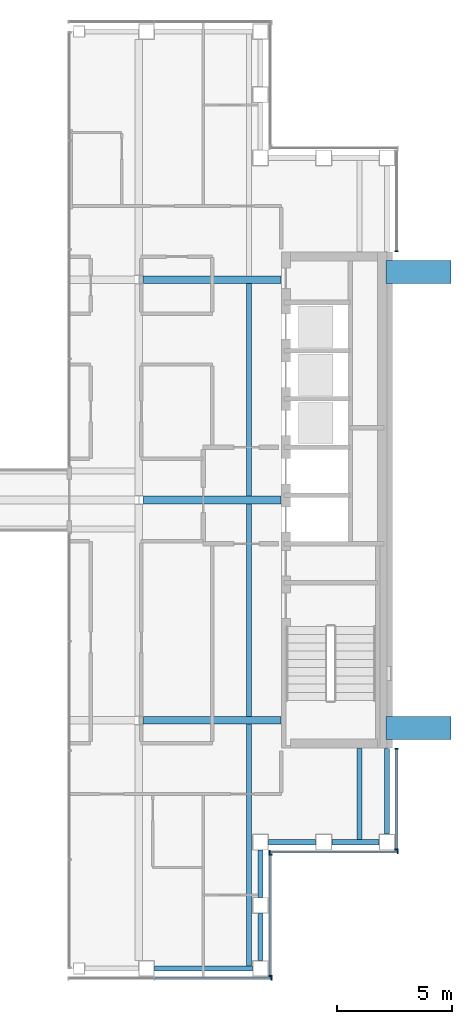
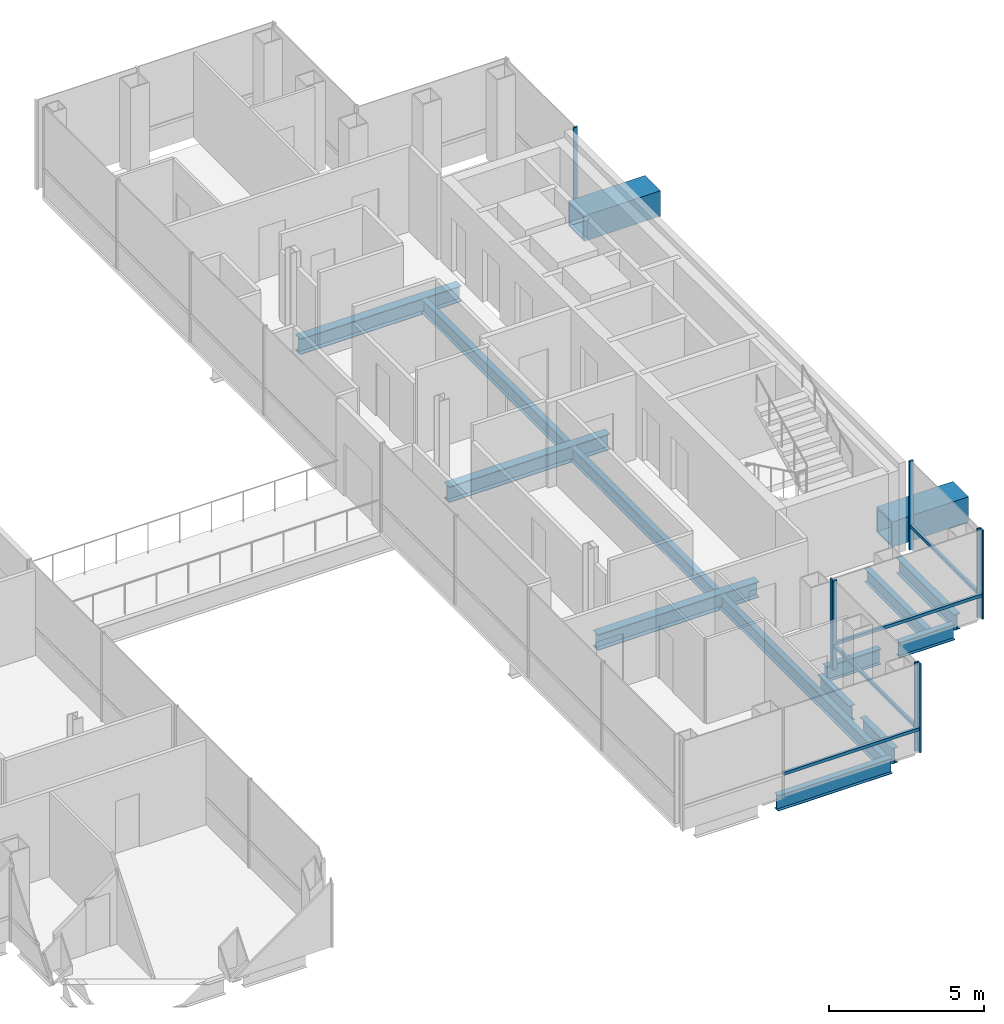
# One storey, part 7 of 16: 15 beams, 12 members, 5 elements without a shape of their own.
"""IFC4 building model written with IfcOpenShell, lengths in metres."""

from ifc_helpers import new_model, si_unit, direction, frame, origin, origin_2d, place, context, subcontext, project, spatial, rectangle, hollow_rectangle, i_section, extrude, material, material_profile, profile_set, type_object, element, aggregate, save


model = new_model("IFC4")

# Units and contexts
model_context = context("Model", 3, precision=1e-05, world=origin(), true_north=direction((0.0, 1.0)))
body_context = subcontext(model_context, "Body", "Model", "MODEL_VIEW")
ifc_project = project(units=[si_unit("LENGTHUNIT", "METRE"), si_unit("AREAUNIT", "SQUARE_METRE"), si_unit("VOLUMEUNIT", "CUBIC_METRE"), si_unit("PLANEANGLEUNIT", "RADIAN"), si_unit("MASSUNIT", "GRAM", prefix="KILO")], contexts=[model_context])

# Site, building, storey
site_placement = place(None, origin())
site = spatial("IfcSite", under=ifc_project, at=site_placement, CompositionType="ELEMENT")
building_placement = place(site_placement, origin())
building = spatial("IfcBuilding", under=site, at=building_placement, Name="Cobrizo Arcos Hotel Tower", CompositionType="ELEMENT")
storey_placement = place(building_placement, frame((0.0, 0.0, 229.5)))
storey = spatial("IfcBuildingStorey", under=building, at=storey_placement, Name="L60", CompositionType="ELEMENT", Elevation=229.5)

# Beams
ifc_material_1 = material(Name="Steel ASTM A572 Grade 50", Category="steel")
ifc_material_profile_1 = material_profile(ifc_material_1, hollow_rectangle(XDim=1.0, YDim=1.0, WallThickness=0.06005859375, at=origin_2d()), Name="BOX 1000X1000X60")
ifc_profile_set_1 = profile_set([ifc_material_profile_1], Name="Steel ASTM A572 Grade 50")
beam_type_1 = type_object("IfcBeamType", Name="BOX 1000X1000X60 brace connector strut", PredefinedType="BEAM", material=ifc_profile_set_1)
for number, where, z_axis, x_axis, name in (
    (1, (20.35009765625, 9.933349609375, 0.5), (1.0, 0.0, 0.0), (0.0, 1.0, 0.0), "Perimeter brace stub BS1, zone Z4, east face, offset +9.93 m, L60"),
    (2, (20.35009765625, -9.933349609375, 0.5), (1.0, 0.0, 0.0), (0.0, 1.0, 0.0), "Perimeter brace stub BS1, zone Z4, east face, offset -9.93 m, L60"),
):
    element("IfcBeam", number, at=place(storey_placement, frame(where, z_axis=z_axis, x_axis=x_axis)), inside=storey, type_object=beam_type_1, Name=name, PredefinedType="BEAM", context=body_context, shape_type="SweptSolid", body=[
        extrude(hollow_rectangle(XDim=1.0, YDim=1.0, WallThickness=0.06005859375, at=origin_2d()), origin(), (0.0, 0.0, 1.0), 2.844970703125),
    ])

# Curtain wall, member
ifc_material_2 = material(Name="Aluminium 6063-T6 anodised bronze", Category="aluminium")
curtain_wall_type = type_object("IfcCurtainWallType", Name="CW-A guest facade", PredefinedType="NOTDEFINED", material=ifc_material_2)
curtain_wall_1_placement = place(storey_placement, origin())
curtain_wall_1 = element("IfcCurtainWall", 3, at=curtain_wall_1_placement, inside=storey, type_object=curtain_wall_type, Name="CW-A L60 S face", PredefinedType="NOTDEFINED")
ifc_material_profile_2 = material_profile(ifc_material_2, rectangle(XDim=0.14990234375, YDim=0.06005859375, at=origin_2d()), Name="CW-A mullion 150x60")
ifc_profile_set_2 = profile_set([ifc_material_profile_2], Name="Aluminium 6063-T6 anodised bronze")
member_type_1 = type_object("IfcMemberType", Name="CW-A mullion 150x60", PredefinedType="MULLION", material=ifc_profile_set_2)
member_1_placement = place(storey_placement, frame((15.3701171875, -20.824951171875, 0.0), z_axis=(0.0, 0.0, 1.0), x_axis=(0.0, -1.0, 0.0)))
member_1 = element("IfcMember", 4, at=member_1_placement, type_object=member_type_1, Name="CW-A mullion 3", PredefinedType="MULLION", context=body_context, shape_type="SweptSolid", body=[
    extrude(rectangle(XDim=0.14990234375, YDim=0.06005859375, at=origin_2d()), origin(), (0.0, 0.0, 1.0), 3.5),
])

# Curtain wall, members
curtain_wall_2_placement = place(storey_placement, origin())
curtain_wall_2 = element("IfcCurtainWall", 5, at=curtain_wall_2_placement, inside=storey, type_object=curtain_wall_type, Name="CW-A L60 E face", PredefinedType="NOTDEFINED")
member_2_placement = place(storey_placement, frame((15.324951171875, -20.719970703125, 0.0), z_axis=(0.0, 0.0, 1.0), x_axis=(1.0, 0.0, 0.0)))
member_2 = element("IfcMember", 6, at=member_2_placement, type_object=member_type_1, Name="CW-A mullion 1", PredefinedType="MULLION", context=body_context, shape_type="SweptSolid", body=[
    extrude(rectangle(XDim=0.14990234375, YDim=0.06005859375, at=origin_2d()), origin(), (0.0, 0.0, 1.0), 3.5),
])
member_3_placement = place(storey_placement, frame((15.324951171875, -15.429931640625, 0.0), z_axis=(0.0, 0.0, 1.0), x_axis=(1.0, 0.0, 0.0)))
member_3 = element("IfcMember", 7, at=member_3_placement, type_object=member_type_1, Name="CW-A mullion 2", PredefinedType="MULLION", context=body_context, shape_type="SweptSolid", body=[
    extrude(rectangle(XDim=0.14990234375, YDim=0.06005859375, at=origin_2d()), origin(), (0.0, 0.0, 1.0), 3.5),
])

curtain_wall_3_placement = place(storey_placement, origin())
curtain_wall_3 = element("IfcCurtainWall", 8, at=curtain_wall_3_placement, inside=storey, type_object=curtain_wall_type, Name="CW-A L60 S face", PredefinedType="NOTDEFINED")
member_4_placement = place(storey_placement, frame((15.280029296875, -15.324951171875, 0.0), z_axis=(0.0, 0.0, 1.0), x_axis=(0.0, -1.0, 0.0)))
member_4 = element("IfcMember", 9, at=member_4_placement, type_object=member_type_1, Name="CW-A mullion 1", PredefinedType="MULLION", context=body_context, shape_type="SweptSolid", body=[
    extrude(rectangle(XDim=0.14990234375, YDim=0.06005859375, at=origin_2d()), origin(), (0.0, 0.0, 1.0), 3.5),
])
member_5_placement = place(storey_placement, frame((20.8701171875, -15.324951171875, 0.0), z_axis=(0.0, 0.0, 1.0), x_axis=(0.0, -1.0, 0.0)))
member_5 = element("IfcMember", 10, at=member_5_placement, type_object=member_type_1, Name="CW-A mullion 2", PredefinedType="MULLION", context=body_context, shape_type="SweptSolid", body=[
    extrude(rectangle(XDim=0.14990234375, YDim=0.06005859375, at=origin_2d()), origin(), (0.0, 0.0, 1.0), 3.5),
])

curtain_wall_4_placement = place(storey_placement, origin())
curtain_wall_4 = element("IfcCurtainWall", 11, at=curtain_wall_4_placement, inside=storey, type_object=curtain_wall_type, Name="CW-A L60 E face", PredefinedType="NOTDEFINED")
member_6_placement = place(storey_placement, frame((20.824951171875, -15.219970703125, 0.0), z_axis=(0.0, 0.0, 1.0), x_axis=(1.0, 0.0, 0.0)))
member_6 = element("IfcMember", 12, at=member_6_placement, type_object=member_type_1, Name="CW-A mullion 1", PredefinedType="MULLION", context=body_context, shape_type="SweptSolid", body=[
    extrude(rectangle(XDim=0.14990234375, YDim=0.06005859375, at=origin_2d()), origin(), (0.0, 0.0, 1.0), 3.5),
])
member_7_placement = place(storey_placement, frame((20.824951171875, -10.830078125, 0.0), z_axis=(0.0, 0.0, 1.0), x_axis=(1.0, 0.0, 0.0)))
member_7 = element("IfcMember", 13, at=member_7_placement, type_object=member_type_1, Name="CW-A mullion 2", PredefinedType="MULLION", context=body_context, shape_type="SweptSolid", body=[
    extrude(rectangle(XDim=0.14990234375, YDim=0.06005859375, at=origin_2d()), origin(), (0.0, 0.0, 1.0), 3.5),
])

# Curtain wall, member
curtain_wall_5_placement = place(storey_placement, origin())
curtain_wall_5 = element("IfcCurtainWall", 14, at=curtain_wall_5_placement, inside=storey, type_object=curtain_wall_type, Name="CW-A L60 E face", PredefinedType="NOTDEFINED")
member_8_placement = place(storey_placement, frame((20.824951171875, 10.830078125, 0.0), z_axis=(0.0, 0.0, 1.0), x_axis=(1.0, 0.0, 0.0)))
member_8 = element("IfcMember", 15, at=member_8_placement, type_object=member_type_1, Name="CW-A mullion 1", PredefinedType="MULLION", context=body_context, shape_type="SweptSolid", body=[
    extrude(rectangle(XDim=0.14990234375, YDim=0.06005859375, at=origin_2d()), origin(), (0.0, 0.0, 1.0), 3.5),
])
aggregate(curtain_wall_5, [member_8])

# Member
ifc_material_profile_3 = material_profile(ifc_material_2, rectangle(XDim=0.10009765625, YDim=0.1201171875, at=origin_2d()), Name="CW-A transom 120x100")
ifc_profile_set_3 = profile_set([ifc_material_profile_3], Name="Aluminium 6063-T6 anodised bronze")
member_type_2 = type_object("IfcMemberType", Name="CW-A transom 120x100", PredefinedType="USERDEFINED", material=ifc_profile_set_3)
member_9_placement = place(storey_placement, frame((10.296630859375, -20.824951171875, 0.929931640625), z_axis=(1.0, 0.0, 0.0), x_axis=(0.0, 1.0, 0.0)))
member_9 = element("IfcMember", 16, at=member_9_placement, type_object=member_type_2, Name="CW-A transom 1951", ObjectType="TRANSOM", PredefinedType="USERDEFINED", context=body_context, shape_type="SweptSolid", body=[
    extrude(rectangle(XDim=0.10009765625, YDim=0.1201171875, at=origin_2d()), origin(), (0.0, 0.0, 1.0), 5.04345703125),
])

aggregate(curtain_wall_1, [member_1, member_9])

member_10_placement = place(storey_placement, frame((15.324951171875, -20.68994140625, 0.929931640625), z_axis=(0.0, 1.0, 0.0), x_axis=(-1.0, 0.0, 0.0)))
member_10 = element("IfcMember", 17, at=member_10_placement, type_object=member_type_2, Name="CW-A transom 1952", ObjectType="TRANSOM", PredefinedType="USERDEFINED", context=body_context, shape_type="SweptSolid", body=[
    extrude(rectangle(XDim=0.10009765625, YDim=0.1201171875, at=origin_2d()), origin(), (0.0, 0.0, 1.0), 5.22998046875),
])

aggregate(curtain_wall_2, [member_2, member_3, member_10])

member_11_placement = place(storey_placement, frame((15.31005859375, -15.324951171875, 0.929931640625), z_axis=(1.0, 0.0, 0.0), x_axis=(0.0, 1.0, 0.0)))
member_11 = element("IfcMember", 18, at=member_11_placement, type_object=member_type_2, Name="CW-A transom 1953", ObjectType="TRANSOM", PredefinedType="USERDEFINED", context=body_context, shape_type="SweptSolid", body=[
    extrude(rectangle(XDim=0.10009765625, YDim=0.1201171875, at=origin_2d()), origin(), (0.0, 0.0, 1.0), 5.530029296875),
])

aggregate(curtain_wall_3, [member_4, member_5, member_11])

member_12_placement = place(storey_placement, frame((20.824951171875, -15.18994140625, 0.929931640625), z_axis=(0.0, 1.0, 0.0), x_axis=(-1.0, 0.0, 0.0)))
member_12 = element("IfcMember", 19, at=member_12_placement, type_object=member_type_2, Name="CW-A transom 1954", ObjectType="TRANSOM", PredefinedType="USERDEFINED", context=body_context, shape_type="SweptSolid", body=[
    extrude(rectangle(XDim=0.10009765625, YDim=0.1201171875, at=origin_2d()), origin(), (0.0, 0.0, 1.0), 4.329833984375),
])

aggregate(curtain_wall_4, [member_6, member_7, member_12])

# Beams
ifc_material_3 = material(Name="Steel ASTM A992 Grade 50", Category="steel")
ifc_material_profile_4 = material_profile(ifc_material_3, i_section(OverallWidth=0.209228515625, OverallDepth=0.533447265625, WebThickness=0.01025390625, FlangeThickness=0.015625, at=origin_2d()), Name="W21X62")
ifc_profile_set_4 = profile_set([ifc_material_profile_4], Name="Steel ASTM A992 Grade 50")
beam_type_2 = type_object("IfcBeamType", Name="W21X62 joist", PredefinedType="JOIST", material=ifc_profile_set_4)
beam_1_placement = place(storey_placement, frame((14.39990234375, -20.31005859375, -0.416748046875), z_axis=(0.0, 1.0, 0.0), x_axis=(-1.0, 0.0, 0.0)))
element("IfcBeam", 20, at=beam_1_placement, inside=storey, type_object=beam_type_2, Name="Floor joist J1, L60, no. 007", PredefinedType="JOIST", context=body_context, shape_type="SweptSolid", body=[
    extrude(i_section(OverallWidth=0.209228515625, OverallDepth=0.533447265625, WebThickness=0.01025390625, FlangeThickness=0.015625, at=origin_2d()), origin(), (0.0, 0.0, 1.0), 10.546142578125),
])
for number, where, z_axis, x_axis, name in (
    (21, (14.39990234375, -9.43603515625, -0.416748046875), (0.0, 1.0, 0.0), (-1.0, 0.0, 0.0), "Floor joist J1, L60, no. 008"),
    (22, (14.39990234375, 0.163818359375, -0.416748046875), (0.0, 1.0, 0.0), (-1.0, 0.0, 0.0), "Floor joist J1, L60, no. 009"),
):
    element("IfcBeam", number, at=place(storey_placement, frame(where, z_axis=z_axis, x_axis=x_axis)), inside=storey, type_object=beam_type_2, Name=name, PredefinedType="JOIST", context=body_context, shape_type="SweptSolid", body=[
        extrude(i_section(OverallWidth=0.209228515625, OverallDepth=0.533447265625, WebThickness=0.01025390625, FlangeThickness=0.015625, at=origin_2d()), origin(), (0.0, 0.0, 1.0), 9.272216796875),
    ])
beam_2_placement = place(storey_placement, frame((19.199951171875, -14.81005859375, -0.416748046875), z_axis=(0.0, 1.0, 0.0), x_axis=(-1.0, 0.0, 0.0)))
element("IfcBeam", 23, at=beam_2_placement, inside=storey, type_object=beam_type_2, Name="Floor joist J1, L60, no. 011", PredefinedType="JOIST", context=body_context, shape_type="SweptSolid", body=[
    extrude(i_section(OverallWidth=0.209228515625, OverallDepth=0.533447265625, WebThickness=0.01025390625, FlangeThickness=0.015625, at=origin_2d()), origin(), (0.0, 0.0, 1.0), 4.0),
])
ifc_material_profile_5 = material_profile(ifc_material_3, i_section(OverallWidth=0.32763671875, OverallDepth=0.622314453125, WebThickness=0.015380859375, FlangeThickness=0.0244140625, at=origin_2d()), Name="W24X131")
ifc_profile_set_5 = profile_set([ifc_material_profile_5], Name="Steel ASTM A992 Grade 50")
beam_type_3 = type_object("IfcBeamType", Name="W24X131 girder", PredefinedType="BEAM", material=ifc_profile_set_5)
for number, where, z_axis, x_axis, name in (
    (24, (9.78662109375, -9.60009765625, -0.461181640625), (1.0, 0.0, 0.0), (0.0, 1.0, 0.0), "Floor girder G1, L60, no. 004"),
    (25, (9.78662109375, 0.0, -0.461181640625), (1.0, 0.0, 0.0), (0.0, 1.0, 0.0), "Floor girder G1, L60, no. 007"),
    (26, (9.78662109375, 9.60009765625, -0.461181640625), (1.0, 0.0, 0.0), (0.0, 1.0, 0.0), "Floor girder G1, L60, no. 011"),
):
    element("IfcBeam", number, at=place(storey_placement, frame(where, z_axis=z_axis, x_axis=x_axis)), inside=storey, type_object=beam_type_3, Name=name, PredefinedType="BEAM", context=body_context, shape_type="SweptSolid", body=[
        extrude(i_section(OverallWidth=0.32763671875, OverallDepth=0.622314453125, WebThickness=0.015380859375, FlangeThickness=0.0244140625, at=origin_2d()), origin(), (0.0, 0.0, 1.0), 6.00341796875),
    ])
ifc_material_profile_6 = material_profile(ifc_material_3, i_section(OverallWidth=0.228271484375, OverallDepth=0.607177734375, WebThickness=0.01123046875, FlangeThickness=0.017333984375, at=origin_2d()), Name="W24X76")
ifc_profile_set_6 = profile_set([ifc_material_profile_6], Name="Steel ASTM A992 Grade 50")
beam_type_4 = type_object("IfcBeamType", Name="W24X76 spandrel", PredefinedType="SPANDREL", material=ifc_profile_set_6)
beam_3_placement = place(storey_placement, frame((20.39990234375, -10.81005859375, -0.45361328125), z_axis=(0.0, -1.0, 0.0), x_axis=(1.0, 0.0, 0.0)))
element("IfcBeam", 27, at=beam_3_placement, inside=storey, type_object=beam_type_4, Name="Spandrel beam W24X76, L60, no. 004", PredefinedType="SPANDREL", context=body_context, shape_type="SweptSolid", body=[
    extrude(i_section(OverallWidth=0.228271484375, OverallDepth=0.607177734375, WebThickness=0.01123046875, FlangeThickness=0.017333984375, at=origin_2d()), origin(), (0.0, 0.0, 1.0), 3.739990234375),
])
for number, where, z_axis, x_axis, name in (
    (28, (20.050048828125, -14.89990234375, -0.45361328125), (-1.0, 0.0, 0.0), (0.0, -1.0, 0.0), "Spandrel beam W24X76, L60, no. 005"),
    (29, (17.300048828125, -14.89990234375, -0.45361328125), (-1.0, 0.0, 0.0), (0.0, -1.0, 0.0), "Spandrel beam W24X76, L60, no. 006"),
    (30, (14.89990234375, -15.25, -0.45361328125), (0.0, -1.0, 0.0), (1.0, 0.0, 0.0), "Spandrel beam W24X76, L60, no. 007"),
    (31, (14.89990234375, -18.0, -0.45361328125), (0.0, -1.0, 0.0), (1.0, 0.0, 0.0), "Spandrel beam W24X76, L60, no. 008"),
):
    element("IfcBeam", number, at=place(storey_placement, frame(where, z_axis=z_axis, x_axis=x_axis)), inside=storey, type_object=beam_type_4, Name=name, PredefinedType="SPANDREL", context=body_context, shape_type="SweptSolid", body=[
        extrude(i_section(OverallWidth=0.228271484375, OverallDepth=0.607177734375, WebThickness=0.01123046875, FlangeThickness=0.017333984375, at=origin_2d()), origin(), (0.0, 0.0, 1.0), 2.050048828125),
    ])
beam_4_placement = place(storey_placement, frame((14.550048828125, -20.39990234375, -0.45361328125), z_axis=(-1.0, 0.0, 0.0), x_axis=(0.0, -1.0, 0.0)))
element("IfcBeam", 32, at=beam_4_placement, inside=storey, type_object=beam_type_4, Name="Spandrel beam W24X76, L60, no. 009", PredefinedType="SPANDREL", context=body_context, shape_type="SweptSolid", body=[
    extrude(i_section(OverallWidth=0.228271484375, OverallDepth=0.607177734375, WebThickness=0.01123046875, FlangeThickness=0.017333984375, at=origin_2d()), origin(), (0.0, 0.0, 1.0), 4.26708984375),
])

save(model, "model.ifc")
